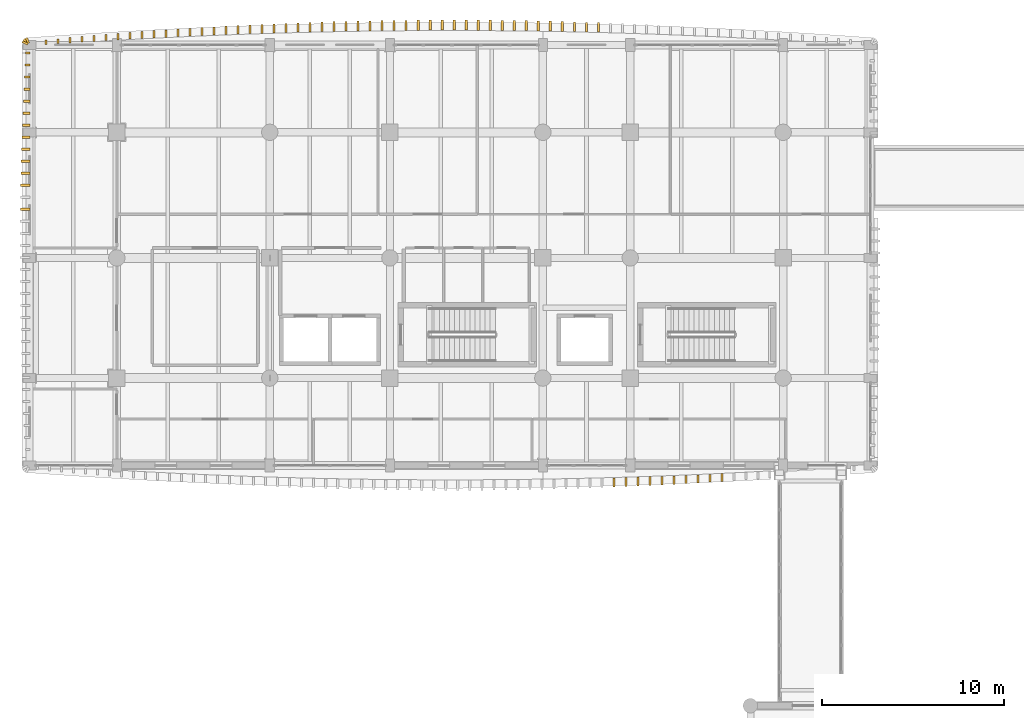
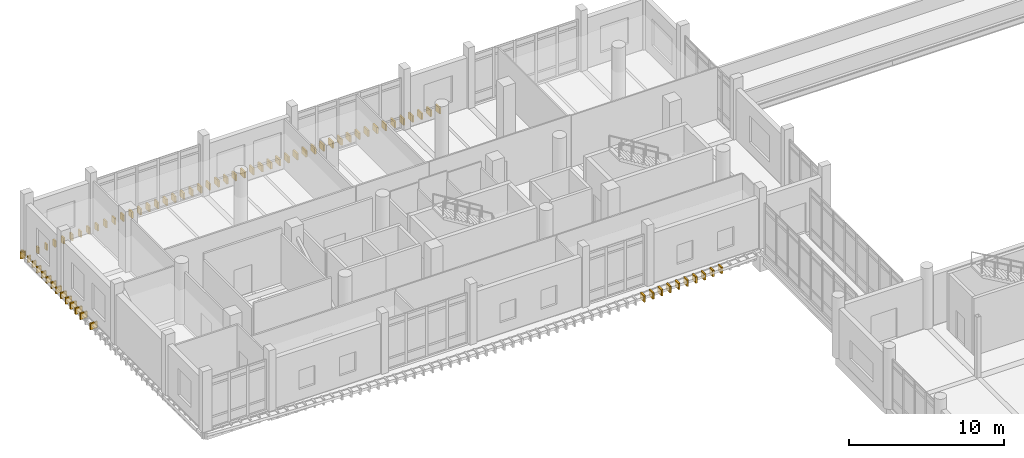
# One storey, part 96 of 101: 73 coverings.
"""IFC4 building model written with IfcOpenShell, lengths in metres."""

from ifc_helpers import new_model, si_unit, direction, frame, origin, origin_2d, place, context, subcontext, project, spatial, rectangle, extrude, material, layer, layer_set, type_object, element, save


model = new_model("IFC4")

# Units and contexts
model_context = context("Model", 3, precision=1e-05, world=origin(), true_north=direction((0.0, 1.0)))
body_context = subcontext(model_context, "Body", "Model", "MODEL_VIEW")
ifc_project = project(units=[si_unit("LENGTHUNIT", "METRE"), si_unit("AREAUNIT", "SQUARE_METRE"), si_unit("VOLUMEUNIT", "CUBIC_METRE"), si_unit("PLANEANGLEUNIT", "RADIAN"), si_unit("MASSUNIT", "GRAM", prefix="KILO")], contexts=[model_context])

# Site, building, storey
site_placement = place(None, origin())
site = spatial("IfcSite", under=ifc_project, at=site_placement, CompositionType="ELEMENT")
building_placement = place(site_placement, origin())
building = spatial("IfcBuilding", under=site, at=building_placement, Name="Dornvale Research Institute", CompositionType="ELEMENT")
storey_placement = place(building_placement, frame((0.0, 0.0, 10.199951171875)))
storey = spatial("IfcBuildingStorey", under=building, at=storey_placement, Name="L02", CompositionType="ELEMENT", Elevation=10.199951171875)

# Coverings
ifc_material = material(Name="Polychrome Glazed Terracotta Visor Rib Ceramic", Category="masonry")
ifc_layer = layer(ifc_material, 0.1201171875)
ifc_layer_set = layer_set([ifc_layer], Name="Polychrome Glazed Terracotta Visor Rib Ceramic")
covering_type = type_object("IfcCoveringType", Name="Covering_VisorBlade_Main", PredefinedType="CLADDING", material=ifc_layer_set)
covering_1_placement = place(storey_placement, frame((32.10791015625, 98.06640625, -0.489990234375), z_axis=(0.0, 0.0, 1.0), x_axis=(0.0, 1.0, 0.0)))
element("IfcCovering", 1, at=covering_1_placement, inside=storey, type_object=covering_type, Name="L02 V5 canted glazed terracotta visor blade #254", PredefinedType="CLADDING", context=body_context, shape_type="SweptSolid", body=[
    extrude(rectangle(XDim=0.508056640625, YDim=0.1201171875, at=origin_2d()), origin(), (0.0, 0.0, 1.0), 0.5),
])
covering_2_placement = place(storey_placement, frame((32.767578125, 98.0888671875, -0.489990234375), z_axis=(0.0, 0.0, 1.0), x_axis=(0.0, 1.0, 0.0)))
element("IfcCovering", 2, at=covering_2_placement, inside=storey, type_object=covering_type, Name="L02 V5 canted glazed terracotta visor blade #255", PredefinedType="CLADDING", context=body_context, shape_type="SweptSolid", body=[
    extrude(rectangle(XDim=0.5009765625, YDim=0.1201171875, at=origin_2d()), origin(), (0.0, 0.0, 1.0), 0.5),
])
covering_3_placement = place(storey_placement, frame((33.42724609375, 98.11474609375, -0.489990234375), z_axis=(0.0, 0.0, 1.0), x_axis=(0.0, 1.0, 0.0)))
element("IfcCovering", 3, at=covering_3_placement, inside=storey, type_object=covering_type, Name="L02 V5 canted glazed terracotta visor blade #256", PredefinedType="CLADDING", context=body_context, shape_type="SweptSolid", body=[
    extrude(rectangle(XDim=0.491943359375, YDim=0.1201171875, at=origin_2d()), origin(), (0.0, 0.0, 1.0), 0.5),
])
covering_4_placement = place(storey_placement, frame((34.0869140625, 98.141845703125, -0.489990234375), z_axis=(0.0, 0.0, 1.0), x_axis=(0.0, 1.0, 0.0)))
element("IfcCovering", 4, at=covering_4_placement, inside=storey, type_object=covering_type, Name="L02 V5 canted glazed terracotta visor blade #257", PredefinedType="CLADDING", context=body_context, shape_type="SweptSolid", body=[
    extrude(rectangle(XDim=0.48291015625, YDim=0.1201171875, at=origin_2d()), origin(), (0.0, 0.0, 1.0), 0.5),
])
covering_5_placement = place(storey_placement, frame((34.74658203125, 98.169189453125, -0.489990234375), z_axis=(0.0, 0.0, 1.0), x_axis=(0.0, 1.0, 0.0)))
element("IfcCovering", 5, at=covering_5_placement, inside=storey, type_object=covering_type, Name="L02 V5 canted glazed terracotta visor blade #258", PredefinedType="CLADDING", context=body_context, shape_type="SweptSolid", body=[
    extrude(rectangle(XDim=0.47412109375, YDim=0.1201171875, at=origin_2d()), origin(), (0.0, 0.0, 1.0), 0.5),
])
covering_6_placement = place(storey_placement, frame((35.406005859375, 98.2001953125, -0.489990234375), z_axis=(0.0, 0.0, 1.0), x_axis=(0.0, 1.0, 0.0)))
element("IfcCovering", 6, at=covering_6_placement, inside=storey, type_object=covering_type, Name="L02 V5 canted glazed terracotta visor blade #259", PredefinedType="CLADDING", context=body_context, shape_type="SweptSolid", body=[
    extrude(rectangle(XDim=0.464111328125, YDim=0.1201171875, at=origin_2d()), origin(), (0.0, 0.0, 1.0), 0.5),
])
covering_7_placement = place(storey_placement, frame((36.0654296875, 98.231689453125, -0.489990234375), z_axis=(0.0, 0.0, 1.0), x_axis=(0.0, 1.0, 0.0)))
element("IfcCovering", 7, at=covering_7_placement, inside=storey, type_object=covering_type, Name="L02 V5 canted glazed terracotta visor blade #260", PredefinedType="CLADDING", context=body_context, shape_type="SweptSolid", body=[
    extrude(rectangle(XDim=0.452880859375, YDim=0.1201171875, at=origin_2d()), origin(), (0.0, 0.0, 1.0), 0.5),
])
covering_8_placement = place(storey_placement, frame((36.724853515625, 98.265625, -0.489990234375), z_axis=(0.0, 0.0, 1.0), x_axis=(0.0, 1.0, 0.0)))
element("IfcCovering", 8, at=covering_8_placement, inside=storey, type_object=covering_type, Name="L02 V5 canted glazed terracotta visor blade #261", PredefinedType="CLADDING", context=body_context, shape_type="SweptSolid", body=[
    extrude(rectangle(XDim=0.44189453125, YDim=0.1201171875, at=origin_2d()), origin(), (0.0, 0.0, 1.0), 0.5),
])
covering_9_placement = place(storey_placement, frame((37.38427734375, 98.301025390625, -0.489990234375), z_axis=(0.0, 0.0, 1.0), x_axis=(0.0, 1.0, 0.0)))
element("IfcCovering", 9, at=covering_9_placement, inside=storey, type_object=covering_type, Name="L02 V5 canted glazed terracotta visor blade #262", PredefinedType="CLADDING", context=body_context, shape_type="SweptSolid", body=[
    extrude(rectangle(XDim=0.429931640625, YDim=0.1201171875, at=origin_2d()), origin(), (0.0, 0.0, 1.0), 0.5),
])
covering_10_placement = place(storey_placement, frame((38.043701171875, 98.3369140625, -0.489990234375), z_axis=(0.0, 0.0, 1.0), x_axis=(0.0, 1.0, 0.0)))
element("IfcCovering", 10, at=covering_10_placement, inside=storey, type_object=covering_type, Name="L02 V5 canted glazed terracotta visor blade #263", PredefinedType="CLADDING", context=body_context, shape_type="SweptSolid", body=[
    extrude(rectangle(XDim=0.41796875, YDim=0.1201171875, at=origin_2d()), origin(), (0.0, 0.0, 1.0), 0.5),
])
covering_11_placement = place(storey_placement, frame((31.25, 123.06298828125, -0.489990234375), z_axis=(0.0, 0.0, 1.0), x_axis=(0.0, 1.0, 0.0)))
element("IfcCovering", 11, at=covering_11_placement, inside=storey, type_object=covering_type, Name="L02 V5 canted glazed terracotta visor blade #291", PredefinedType="CLADDING", context=body_context, shape_type="SweptSolid", body=[
    extrude(rectangle(XDim=0.51806640625, YDim=0.1201171875, at=origin_2d()), origin(), (0.0, 0.0, 1.0), 0.5),
])
covering_12_placement = place(storey_placement, frame((30.590087890625, 123.08154296875, -0.489990234375), z_axis=(0.0, 0.0, 1.0), x_axis=(0.0, 1.0, 0.0)))
element("IfcCovering", 12, at=covering_12_placement, inside=storey, type_object=covering_type, Name="L02 V5 canted glazed terracotta visor blade #292", PredefinedType="CLADDING", context=body_context, shape_type="SweptSolid", body=[
    extrude(rectangle(XDim=0.52392578125, YDim=0.1201171875, at=origin_2d()), origin(), (0.0, 0.0, 1.0), 0.5),
])
covering_13_placement = place(storey_placement, frame((29.930419921875, 123.10009765625, -0.489990234375), z_axis=(0.0, 0.0, 1.0), x_axis=(0.0, 1.0, 0.0)))
element("IfcCovering", 13, at=covering_13_placement, inside=storey, type_object=covering_type, Name="L02 V5 canted glazed terracotta visor blade #293", PredefinedType="CLADDING", context=body_context, shape_type="SweptSolid", body=[
    extrude(rectangle(XDim=0.530029296875, YDim=0.1201171875, at=origin_2d()), origin(), (0.0, 0.0, 1.0), 0.5),
])
covering_14_placement = place(storey_placement, frame((29.2705078125, 123.116455078125, -0.489990234375), z_axis=(0.0, 0.0, 1.0), x_axis=(0.0, 1.0, 0.0)))
element("IfcCovering", 14, at=covering_14_placement, inside=storey, type_object=covering_type, Name="L02 V5 canted glazed terracotta visor blade #294", PredefinedType="CLADDING", context=body_context, shape_type="SweptSolid", body=[
    extrude(rectangle(XDim=0.535888671875, YDim=0.1201171875, at=origin_2d()), origin(), (0.0, 0.0, 1.0), 0.5),
])
covering_15_placement = place(storey_placement, frame((28.610595703125, 123.131103515625, -0.489990234375), z_axis=(0.0, 0.0, 1.0), x_axis=(0.0, 1.0, 0.0)))
element("IfcCovering", 15, at=covering_15_placement, inside=storey, type_object=covering_type, Name="L02 V5 canted glazed terracotta visor blade #295", PredefinedType="CLADDING", context=body_context, shape_type="SweptSolid", body=[
    extrude(rectangle(XDim=0.541015625, YDim=0.1201171875, at=origin_2d()), origin(), (0.0, 0.0, 1.0), 0.5),
])
covering_16_placement = place(storey_placement, frame((27.95068359375, 123.144775390625, -0.489990234375), z_axis=(0.0, 0.0, 1.0), x_axis=(0.0, 1.0, 0.0)))
element("IfcCovering", 16, at=covering_16_placement, inside=storey, type_object=covering_type, Name="L02 V5 canted glazed terracotta visor blade #296", PredefinedType="CLADDING", context=body_context, shape_type="SweptSolid", body=[
    extrude(rectangle(XDim=0.544921875, YDim=0.1201171875, at=origin_2d()), origin(), (0.0, 0.0, 1.0), 0.5),
])
covering_17_placement = place(storey_placement, frame((27.290771484375, 123.155517578125, -0.489990234375), z_axis=(0.0, 0.0, 1.0), x_axis=(0.0, 1.0, 0.0)))
element("IfcCovering", 17, at=covering_17_placement, inside=storey, type_object=covering_type, Name="L02 V5 canted glazed terracotta visor blade #297", PredefinedType="CLADDING", context=body_context, shape_type="SweptSolid", body=[
    extrude(rectangle(XDim=0.549072265625, YDim=0.1201171875, at=origin_2d()), origin(), (0.0, 0.0, 1.0), 0.5),
])
covering_18_placement = place(storey_placement, frame((26.630615234375, 123.165771484375, -0.489990234375), z_axis=(0.0, 0.0, 1.0), x_axis=(0.0, 1.0, 0.0)))
element("IfcCovering", 18, at=covering_18_placement, inside=storey, type_object=covering_type, Name="L02 V5 canted glazed terracotta visor blade #298", PredefinedType="CLADDING", context=body_context, shape_type="SweptSolid", body=[
    extrude(rectangle(XDim=0.552001953125, YDim=0.1201171875, at=origin_2d()), origin(), (0.0, 0.0, 1.0), 0.5),
])
covering_19_placement = place(storey_placement, frame((25.970703125, 123.173583984375, -0.489990234375), z_axis=(0.0, 0.0, 1.0), x_axis=(0.0, 1.0, 0.0)))
element("IfcCovering", 19, at=covering_19_placement, inside=storey, type_object=covering_type, Name="L02 V5 canted glazed terracotta visor blade #299", PredefinedType="CLADDING", context=body_context, shape_type="SweptSolid", body=[
    extrude(rectangle(XDim=0.554931640625, YDim=0.1201171875, at=origin_2d()), origin(), (0.0, 0.0, 1.0), 0.5),
])
covering_20_placement = place(storey_placement, frame((25.310791015625, 123.1796875, -0.489990234375), z_axis=(0.0, 0.0, 1.0), x_axis=(0.0, 1.0, 0.0)))
element("IfcCovering", 20, at=covering_20_placement, inside=storey, type_object=covering_type, Name="L02 V5 canted glazed terracotta visor blade #300", PredefinedType="CLADDING", context=body_context, shape_type="SweptSolid", body=[
    extrude(rectangle(XDim=0.556884765625, YDim=0.1201171875, at=origin_2d()), origin(), (0.0, 0.0, 1.0), 0.5),
])
covering_21_placement = place(storey_placement, frame((24.65087890625, 123.18505859375, -0.489990234375), z_axis=(0.0, 0.0, 1.0), x_axis=(0.0, 1.0, 0.0)))
element("IfcCovering", 21, at=covering_21_placement, inside=storey, type_object=covering_type, Name="L02 V5 canted glazed terracotta visor blade #301", PredefinedType="CLADDING", context=body_context, shape_type="SweptSolid", body=[
    extrude(rectangle(XDim=0.55810546875, YDim=0.1201171875, at=origin_2d()), origin(), (0.0, 0.0, 1.0), 0.5),
])
covering_22_placement = place(storey_placement, frame((23.99072265625, 123.187255859375, -0.489990234375), z_axis=(0.0, 0.0, 1.0), x_axis=(0.0, 1.0, 0.0)))
element("IfcCovering", 22, at=covering_22_placement, inside=storey, type_object=covering_type, Name="L02 V5 canted glazed terracotta visor blade #302", PredefinedType="CLADDING", context=body_context, shape_type="SweptSolid", body=[
    extrude(rectangle(XDim=0.55908203125, YDim=0.1201171875, at=origin_2d()), origin(), (0.0, 0.0, 1.0), 0.5),
])
for number, where, z_axis, x_axis, name in (
    (23, (23.330810546875, 123.189453125, -0.489990234375), (0.0, 0.0, 1.0), (0.0, 1.0, 0.0), "L02 V5 canted glazed terracotta visor blade #303"),
    (24, (22.6708984375, 123.18896484375, -0.489990234375), (0.0, 0.0, 1.0), (0.0, 1.0, 0.0), "L02 V5 canted glazed terracotta visor blade #304"),
):
    element("IfcCovering", number, at=place(storey_placement, frame(where, z_axis=z_axis, x_axis=x_axis)), inside=storey, type_object=covering_type, Name=name, PredefinedType="CLADDING", context=body_context, shape_type="SweptSolid", body=[
        extrude(rectangle(XDim=0.56005859375, YDim=0.1201171875, at=origin_2d()), origin(), (0.0, 0.0, 1.0), 0.5),
    ])
covering_23_placement = place(storey_placement, frame((22.0107421875, 123.186767578125, -0.489990234375), z_axis=(0.0, 0.0, 1.0), x_axis=(0.0, 1.0, 0.0)))
element("IfcCovering", 25, at=covering_23_placement, inside=storey, type_object=covering_type, Name="L02 V5 canted glazed terracotta visor blade #305", PredefinedType="CLADDING", context=body_context, shape_type="SweptSolid", body=[
    extrude(rectangle(XDim=0.55908203125, YDim=0.1201171875, at=origin_2d()), origin(), (0.0, 0.0, 1.0), 0.5),
])
covering_24_placement = place(storey_placement, frame((21.350830078125, 123.183837890625, -0.489990234375), z_axis=(0.0, 0.0, 1.0), x_axis=(0.0, 1.0, 0.0)))
element("IfcCovering", 26, at=covering_24_placement, inside=storey, type_object=covering_type, Name="L02 V5 canted glazed terracotta visor blade #306", PredefinedType="CLADDING", context=body_context, shape_type="SweptSolid", body=[
    extrude(rectangle(XDim=0.55810546875, YDim=0.1201171875, at=origin_2d()), origin(), (0.0, 0.0, 1.0), 0.5),
])
covering_25_placement = place(storey_placement, frame((20.69091796875, 123.177734375, -0.489990234375), z_axis=(0.0, 0.0, 1.0), x_axis=(0.0, 1.0, 0.0)))
element("IfcCovering", 27, at=covering_25_placement, inside=storey, type_object=covering_type, Name="L02 V5 canted glazed terracotta visor blade #307", PredefinedType="CLADDING", context=body_context, shape_type="SweptSolid", body=[
    extrude(rectangle(XDim=0.555908203125, YDim=0.1201171875, at=origin_2d()), origin(), (0.0, 0.0, 1.0), 0.5),
])
covering_26_placement = place(storey_placement, frame((20.031005859375, 123.17138671875, -0.489990234375), z_axis=(0.0, 0.0, 1.0), x_axis=(0.0, 1.0, 0.0)))
element("IfcCovering", 28, at=covering_26_placement, inside=storey, type_object=covering_type, Name="L02 V5 canted glazed terracotta visor blade #308", PredefinedType="CLADDING", context=body_context, shape_type="SweptSolid", body=[
    extrude(rectangle(XDim=0.553955078125, YDim=0.1201171875, at=origin_2d()), origin(), (0.0, 0.0, 1.0), 0.5),
])
covering_27_placement = place(storey_placement, frame((19.370849609375, 123.16259765625, -0.489990234375), z_axis=(0.0, 0.0, 1.0), x_axis=(0.0, 1.0, 0.0)))
element("IfcCovering", 29, at=covering_27_placement, inside=storey, type_object=covering_type, Name="L02 V5 canted glazed terracotta visor blade #309", PredefinedType="CLADDING", context=body_context, shape_type="SweptSolid", body=[
    extrude(rectangle(XDim=0.551025390625, YDim=0.1201171875, at=origin_2d()), origin(), (0.0, 0.0, 1.0), 0.5),
])
covering_28_placement = place(storey_placement, frame((18.7109375, 123.15234375, -0.489990234375), z_axis=(0.0, 0.0, 1.0), x_axis=(0.0, 1.0, 0.0)))
element("IfcCovering", 30, at=covering_28_placement, inside=storey, type_object=covering_type, Name="L02 V5 canted glazed terracotta visor blade #310", PredefinedType="CLADDING", context=body_context, shape_type="SweptSolid", body=[
    extrude(rectangle(XDim=0.548095703125, YDim=0.1201171875, at=origin_2d()), origin(), (0.0, 0.0, 1.0), 0.5),
])
covering_29_placement = place(storey_placement, frame((18.051025390625, 123.14111328125, -0.489990234375), z_axis=(0.0, 0.0, 1.0), x_axis=(0.0, 1.0, 0.0)))
element("IfcCovering", 31, at=covering_29_placement, inside=storey, type_object=covering_type, Name="L02 V5 canted glazed terracotta visor blade #311", PredefinedType="CLADDING", context=body_context, shape_type="SweptSolid", body=[
    extrude(rectangle(XDim=0.5439453125, YDim=0.1201171875, at=origin_2d()), origin(), (0.0, 0.0, 1.0), 0.5),
])
covering_30_placement = place(storey_placement, frame((17.39111328125, 123.12646484375, -0.489990234375), z_axis=(0.0, 0.0, 1.0), x_axis=(0.0, 1.0, 0.0)))
element("IfcCovering", 32, at=covering_30_placement, inside=storey, type_object=covering_type, Name="L02 V5 canted glazed terracotta visor blade #312", PredefinedType="CLADDING", context=body_context, shape_type="SweptSolid", body=[
    extrude(rectangle(XDim=0.5390625, YDim=0.1201171875, at=origin_2d()), origin(), (0.0, 0.0, 1.0), 0.5),
])
covering_31_placement = place(storey_placement, frame((16.731201171875, 123.11181640625, -0.489990234375), z_axis=(0.0, 0.0, 1.0), x_axis=(0.0, 1.0, 0.0)))
element("IfcCovering", 33, at=covering_31_placement, inside=storey, type_object=covering_type, Name="L02 V5 canted glazed terracotta visor blade #313", PredefinedType="CLADDING", context=body_context, shape_type="SweptSolid", body=[
    extrude(rectangle(XDim=0.533935546875, YDim=0.1201171875, at=origin_2d()), origin(), (0.0, 0.0, 1.0), 0.5),
])
covering_32_placement = place(storey_placement, frame((16.0712890625, 123.094970703125, -0.489990234375), z_axis=(0.0, 0.0, 1.0), x_axis=(0.0, 1.0, 0.0)))
element("IfcCovering", 34, at=covering_32_placement, inside=storey, type_object=covering_type, Name="L02 V5 canted glazed terracotta visor blade #314", PredefinedType="CLADDING", context=body_context, shape_type="SweptSolid", body=[
    extrude(rectangle(XDim=0.529052734375, YDim=0.1201171875, at=origin_2d()), origin(), (0.0, 0.0, 1.0), 0.5),
])
covering_33_placement = place(storey_placement, frame((15.41162109375, 123.075927734375, -0.489990234375), z_axis=(0.0, 0.0, 1.0), x_axis=(0.0, 1.0, 0.0)))
element("IfcCovering", 35, at=covering_33_placement, inside=storey, type_object=covering_type, Name="L02 V5 canted glazed terracotta visor blade #315", PredefinedType="CLADDING", context=body_context, shape_type="SweptSolid", body=[
    extrude(rectangle(XDim=0.52197265625, YDim=0.1201171875, at=origin_2d()), origin(), (0.0, 0.0, 1.0), 0.5),
])
covering_34_placement = place(storey_placement, frame((14.751708984375, 123.056884765625, -0.489990234375), z_axis=(0.0, 0.0, 1.0), x_axis=(0.0, 1.0, 0.0)))
element("IfcCovering", 36, at=covering_34_placement, inside=storey, type_object=covering_type, Name="L02 V5 canted glazed terracotta visor blade #316", PredefinedType="CLADDING", context=body_context, shape_type="SweptSolid", body=[
    extrude(rectangle(XDim=0.51611328125, YDim=0.1201171875, at=origin_2d()), origin(), (0.0, 0.0, 1.0), 0.5),
])
covering_35_placement = place(storey_placement, frame((14.092041015625, 123.03369140625, -0.489990234375), z_axis=(0.0, 0.0, 1.0), x_axis=(0.0, 1.0, 0.0)))
element("IfcCovering", 37, at=covering_35_placement, inside=storey, type_object=covering_type, Name="L02 V5 canted glazed terracotta visor blade #317", PredefinedType="CLADDING", context=body_context, shape_type="SweptSolid", body=[
    extrude(rectangle(XDim=0.508056640625, YDim=0.1201171875, at=origin_2d()), origin(), (0.0, 0.0, 1.0), 0.5),
])
covering_36_placement = place(storey_placement, frame((13.432373046875, 123.010986328125, -0.489990234375), z_axis=(0.0, 0.0, 1.0), x_axis=(0.0, 1.0, 0.0)))
element("IfcCovering", 38, at=covering_36_placement, inside=storey, type_object=covering_type, Name="L02 V5 canted glazed terracotta visor blade #318", PredefinedType="CLADDING", context=body_context, shape_type="SweptSolid", body=[
    extrude(rectangle(XDim=0.5009765625, YDim=0.1201171875, at=origin_2d()), origin(), (0.0, 0.0, 1.0), 0.5),
])
covering_37_placement = place(storey_placement, frame((12.772705078125, 122.9853515625, -0.489990234375), z_axis=(0.0, 0.0, 1.0), x_axis=(0.0, 1.0, 0.0)))
element("IfcCovering", 39, at=covering_37_placement, inside=storey, type_object=covering_type, Name="L02 V5 canted glazed terracotta visor blade #319", PredefinedType="CLADDING", context=body_context, shape_type="SweptSolid", body=[
    extrude(rectangle(XDim=0.491943359375, YDim=0.1201171875, at=origin_2d()), origin(), (0.0, 0.0, 1.0), 0.5),
])
covering_38_placement = place(storey_placement, frame((12.113037109375, 122.958251953125, -0.489990234375), z_axis=(0.0, 0.0, 1.0), x_axis=(0.0, 1.0, 0.0)))
element("IfcCovering", 40, at=covering_38_placement, inside=storey, type_object=covering_type, Name="L02 V5 canted glazed terracotta visor blade #320", PredefinedType="CLADDING", context=body_context, shape_type="SweptSolid", body=[
    extrude(rectangle(XDim=0.48291015625, YDim=0.1201171875, at=origin_2d()), origin(), (0.0, 0.0, 1.0), 0.5),
])
covering_39_placement = place(storey_placement, frame((11.45361328125, 122.9306640625, -0.489990234375), z_axis=(0.0, 0.0, 1.0), x_axis=(0.0, 1.0, 0.0)))
element("IfcCovering", 41, at=covering_39_placement, inside=storey, type_object=covering_type, Name="L02 V5 canted glazed terracotta visor blade #321", PredefinedType="CLADDING", context=body_context, shape_type="SweptSolid", body=[
    extrude(rectangle(XDim=0.47412109375, YDim=0.1201171875, at=origin_2d()), origin(), (0.0, 0.0, 1.0), 0.5),
])
covering_40_placement = place(storey_placement, frame((10.7939453125, 122.899658203125, -0.489990234375), z_axis=(0.0, 0.0, 1.0), x_axis=(0.0, 1.0, 0.0)))
element("IfcCovering", 42, at=covering_40_placement, inside=storey, type_object=covering_type, Name="L02 V5 canted glazed terracotta visor blade #322", PredefinedType="CLADDING", context=body_context, shape_type="SweptSolid", body=[
    extrude(rectangle(XDim=0.464111328125, YDim=0.1201171875, at=origin_2d()), origin(), (0.0, 0.0, 1.0), 0.5),
])
covering_41_placement = place(storey_placement, frame((10.134521484375, 122.8681640625, -0.489990234375), z_axis=(0.0, 0.0, 1.0), x_axis=(0.0, 1.0, 0.0)))
element("IfcCovering", 43, at=covering_41_placement, inside=storey, type_object=covering_type, Name="L02 V5 canted glazed terracotta visor blade #323", PredefinedType="CLADDING", context=body_context, shape_type="SweptSolid", body=[
    extrude(rectangle(XDim=0.452880859375, YDim=0.1201171875, at=origin_2d()), origin(), (0.0, 0.0, 1.0), 0.5),
])
covering_42_placement = place(storey_placement, frame((9.47509765625, 122.83447265625, -0.489990234375), z_axis=(0.0, 0.0, 1.0), x_axis=(0.0, 1.0, 0.0)))
element("IfcCovering", 44, at=covering_42_placement, inside=storey, type_object=covering_type, Name="L02 V5 canted glazed terracotta visor blade #324", PredefinedType="CLADDING", context=body_context, shape_type="SweptSolid", body=[
    extrude(rectangle(XDim=0.44189453125, YDim=0.1201171875, at=origin_2d()), origin(), (0.0, 0.0, 1.0), 0.5),
])
covering_43_placement = place(storey_placement, frame((8.81591796875, 122.799072265625, -0.489990234375), z_axis=(0.0, 0.0, 1.0), x_axis=(0.0, 1.0, 0.0)))
element("IfcCovering", 45, at=covering_43_placement, inside=storey, type_object=covering_type, Name="L02 V5 canted glazed terracotta visor blade #325", PredefinedType="CLADDING", context=body_context, shape_type="SweptSolid", body=[
    extrude(rectangle(XDim=0.429931640625, YDim=0.1201171875, at=origin_2d()), origin(), (0.0, 0.0, 1.0), 0.5),
])
covering_44_placement = place(storey_placement, frame((8.156494140625, 122.762939453125, -0.489990234375), z_axis=(0.0, 0.0, 1.0), x_axis=(0.0, 1.0, 0.0)))
element("IfcCovering", 46, at=covering_44_placement, inside=storey, type_object=covering_type, Name="L02 V5 canted glazed terracotta visor blade #326", PredefinedType="CLADDING", context=body_context, shape_type="SweptSolid", body=[
    extrude(rectangle(XDim=0.41796875, YDim=0.1201171875, at=origin_2d()), origin(), (0.0, 0.0, 1.0), 0.5),
])
covering_45_placement = place(storey_placement, frame((7.497314453125, 122.7236328125, -0.489990234375), z_axis=(0.0, 0.0, 1.0), x_axis=(0.0, 1.0, 0.0)))
element("IfcCovering", 47, at=covering_45_placement, inside=storey, type_object=covering_type, Name="L02 V5 canted glazed terracotta visor blade #327", PredefinedType="CLADDING", context=body_context, shape_type="SweptSolid", body=[
    extrude(rectangle(XDim=0.405029296875, YDim=0.1201171875, at=origin_2d()), origin(), (0.0, 0.0, 1.0), 0.5),
])
covering_46_placement = place(storey_placement, frame((6.838134765625, 122.68408203125, -0.489990234375), z_axis=(0.0, 0.0, 1.0), x_axis=(0.0, 1.0, 0.0)))
element("IfcCovering", 48, at=covering_46_placement, inside=storey, type_object=covering_type, Name="L02 V5 canted glazed terracotta visor blade #328", PredefinedType="CLADDING", context=body_context, shape_type="SweptSolid", body=[
    extrude(rectangle(XDim=0.39208984375, YDim=0.1201171875, at=origin_2d()), origin(), (0.0, 0.0, 1.0), 0.5),
])
covering_47_placement = place(storey_placement, frame((6.178955078125, 122.64208984375, -0.489990234375), z_axis=(0.0, 0.0, 1.0), x_axis=(0.0, 1.0, 0.0)))
element("IfcCovering", 49, at=covering_47_placement, inside=storey, type_object=covering_type, Name="L02 V5 canted glazed terracotta visor blade #329", PredefinedType="CLADDING", context=body_context, shape_type="SweptSolid", body=[
    extrude(rectangle(XDim=0.3779296875, YDim=0.1201171875, at=origin_2d()), origin(), (0.0, 0.0, 1.0), 0.5),
])
covering_48_placement = place(storey_placement, frame((5.52001953125, 122.59814453125, -0.489990234375), z_axis=(0.0, 0.0, 1.0), x_axis=(0.0, 1.0, 0.0)))
element("IfcCovering", 50, at=covering_48_placement, inside=storey, type_object=covering_type, Name="L02 V5 canted glazed terracotta visor blade #330", PredefinedType="CLADDING", context=body_context, shape_type="SweptSolid", body=[
    extrude(rectangle(XDim=0.363037109375, YDim=0.1201171875, at=origin_2d()), origin(), (0.0, 0.0, 1.0), 0.5),
])
covering_49_placement = place(storey_placement, frame((4.861083984375, 122.553955078125, -0.489990234375), z_axis=(0.0, 0.0, 1.0), x_axis=(0.0, 1.0, 0.0)))
element("IfcCovering", 51, at=covering_49_placement, inside=storey, type_object=covering_type, Name="L02 V5 canted glazed terracotta visor blade #331", PredefinedType="CLADDING", context=body_context, shape_type="SweptSolid", body=[
    extrude(rectangle(XDim=0.347900390625, YDim=0.1201171875, at=origin_2d()), origin(), (0.0, 0.0, 1.0), 0.5),
])
covering_50_placement = place(storey_placement, frame((4.202392578125, 122.506591796875, -0.489990234375), z_axis=(0.0, 0.0, 1.0), x_axis=(0.0, 1.0, 0.0)))
element("IfcCovering", 52, at=covering_50_placement, inside=storey, type_object=covering_type, Name="L02 V5 canted glazed terracotta visor blade #332", PredefinedType="CLADDING", context=body_context, shape_type="SweptSolid", body=[
    extrude(rectangle(XDim=0.3330078125, YDim=0.1201171875, at=origin_2d()), origin(), (0.0, 0.0, 1.0), 0.5),
])
covering_51_placement = place(storey_placement, frame((3.54345703125, 122.458251953125, -0.489990234375), z_axis=(0.0, 0.0, 1.0), x_axis=(0.0, 1.0, 0.0)))
element("IfcCovering", 53, at=covering_51_placement, inside=storey, type_object=covering_type, Name="L02 V5 canted glazed terracotta visor blade #333", PredefinedType="CLADDING", context=body_context, shape_type="SweptSolid", body=[
    extrude(rectangle(XDim=0.31591796875, YDim=0.1201171875, at=origin_2d()), origin(), (0.0, 0.0, 1.0), 0.5),
])
covering_52_placement = place(storey_placement, frame((2.884765625, 122.408203125, -0.489990234375), z_axis=(0.0, 0.0, 1.0), x_axis=(0.0, 1.0, 0.0)))
element("IfcCovering", 54, at=covering_52_placement, inside=storey, type_object=covering_type, Name="L02 V5 canted glazed terracotta visor blade #334", PredefinedType="CLADDING", context=body_context, shape_type="SweptSolid", body=[
    extrude(rectangle(XDim=0.300048828125, YDim=0.1201171875, at=origin_2d()), origin(), (0.0, 0.0, 1.0), 0.5),
])
covering_53_placement = place(storey_placement, frame((2.226318359375, 122.35595703125, -0.489990234375), z_axis=(0.0, 0.0, 1.0), x_axis=(0.0, 1.0, 0.0)))
element("IfcCovering", 55, at=covering_53_placement, inside=storey, type_object=covering_type, Name="L02 V5 canted glazed terracotta visor blade #335", PredefinedType="CLADDING", context=body_context, shape_type="SweptSolid", body=[
    extrude(rectangle(XDim=0.281982421875, YDim=0.1201171875, at=origin_2d()), origin(), (0.0, 0.0, 1.0), 0.5),
])
covering_54_placement = place(storey_placement, frame((1.567626953125, 122.3037109375, -0.489990234375), z_axis=(0.0, 0.0, 1.0), x_axis=(0.0, 1.0, 0.0)))
element("IfcCovering", 56, at=covering_54_placement, inside=storey, type_object=covering_type, Name="L02 V5 canted glazed terracotta visor blade #336", PredefinedType="CLADDING", context=body_context, shape_type="SweptSolid", body=[
    extrude(rectangle(XDim=0.264892578125, YDim=0.1201171875, at=origin_2d()), origin(), (0.0, 0.0, 1.0), 0.5),
])
for number, where, z_axis, x_axis, name in (
    (57, (0.9091796875, 122.24755859375, -0.489990234375), (0.0, 0.0, 1.0), (0.0, 1.0, 0.0), "L02 V5 canted glazed terracotta visor blade #337"),
    (58, (-0.0830078125, 121.64990234375, -0.489990234375), (0.0, 0.0, 1.0), (1.0, 0.0, 0.0), "L02 V5 canted glazed terracotta visor blade #365"),
):
    element("IfcCovering", number, at=place(storey_placement, frame(where, z_axis=z_axis, x_axis=x_axis)), inside=storey, type_object=covering_type, Name=name, PredefinedType="CLADDING", context=body_context, shape_type="SweptSolid", body=[
        extrude(rectangle(XDim=0.24609375, YDim=0.1201171875, at=origin_2d()), origin(), (0.0, 0.0, 1.0), 0.5),
    ])
covering_55_placement = place(storey_placement, frame((-0.10107421875, 120.989990234375, -0.489990234375), z_axis=(0.0, 0.0, 1.0), x_axis=(1.0, 0.0, 0.0)))
element("IfcCovering", 59, at=covering_55_placement, inside=storey, type_object=covering_type, Name="L02 V5 canted glazed terracotta visor blade #366", PredefinedType="CLADDING", context=body_context, shape_type="SweptSolid", body=[
    extrude(rectangle(XDim=0.281982421875, YDim=0.1201171875, at=origin_2d()), origin(), (0.0, 0.0, 1.0), 0.5),
])
covering_56_placement = place(storey_placement, frame((-0.117919921875, 120.330078125, -0.489990234375), z_axis=(0.0, 0.0, 1.0), x_axis=(1.0, 0.0, 0.0)))
element("IfcCovering", 60, at=covering_56_placement, inside=storey, type_object=covering_type, Name="L02 V5 canted glazed terracotta visor blade #367", PredefinedType="CLADDING", context=body_context, shape_type="SweptSolid", body=[
    extrude(rectangle(XDim=0.31591796875, YDim=0.1201171875, at=origin_2d()), origin(), (0.0, 0.0, 1.0), 0.5),
])
covering_57_placement = place(storey_placement, frame((-0.134033203125, 119.669921875, -0.489990234375), z_axis=(0.0, 0.0, 1.0), x_axis=(1.0, 0.0, 0.0)))
element("IfcCovering", 61, at=covering_57_placement, inside=storey, type_object=covering_type, Name="L02 V5 canted glazed terracotta visor blade #368", PredefinedType="CLADDING", context=body_context, shape_type="SweptSolid", body=[
    extrude(rectangle(XDim=0.347900390625, YDim=0.1201171875, at=origin_2d()), origin(), (0.0, 0.0, 1.0), 0.5),
])
covering_58_placement = place(storey_placement, frame((-0.14892578125, 119.010009765625, -0.489990234375), z_axis=(0.0, 0.0, 1.0), x_axis=(1.0, 0.0, 0.0)))
element("IfcCovering", 62, at=covering_58_placement, inside=storey, type_object=covering_type, Name="L02 V5 canted glazed terracotta visor blade #369", PredefinedType="CLADDING", context=body_context, shape_type="SweptSolid", body=[
    extrude(rectangle(XDim=0.3779296875, YDim=0.1201171875, at=origin_2d()), origin(), (0.0, 0.0, 1.0), 0.5),
])
covering_59_placement = place(storey_placement, frame((-0.16259765625, 118.35009765625, -0.489990234375), z_axis=(0.0, 0.0, 1.0), x_axis=(1.0, 0.0, 0.0)))
element("IfcCovering", 63, at=covering_59_placement, inside=storey, type_object=covering_type, Name="L02 V5 canted glazed terracotta visor blade #370", PredefinedType="CLADDING", context=body_context, shape_type="SweptSolid", body=[
    extrude(rectangle(XDim=0.405029296875, YDim=0.1201171875, at=origin_2d()), origin(), (0.0, 0.0, 1.0), 0.5),
])
covering_60_placement = place(storey_placement, frame((-0.175048828125, 117.68994140625, -0.489990234375), z_axis=(0.0, 0.0, 1.0), x_axis=(1.0, 0.0, 0.0)))
element("IfcCovering", 64, at=covering_60_placement, inside=storey, type_object=covering_type, Name="L02 V5 canted glazed terracotta visor blade #371", PredefinedType="CLADDING", context=body_context, shape_type="SweptSolid", body=[
    extrude(rectangle(XDim=0.429931640625, YDim=0.1201171875, at=origin_2d()), origin(), (0.0, 0.0, 1.0), 0.5),
])
covering_61_placement = place(storey_placement, frame((-0.1865234375, 117.030029296875, -0.489990234375), z_axis=(0.0, 0.0, 1.0), x_axis=(1.0, 0.0, 0.0)))
element("IfcCovering", 65, at=covering_61_placement, inside=storey, type_object=covering_type, Name="L02 V5 canted glazed terracotta visor blade #372", PredefinedType="CLADDING", context=body_context, shape_type="SweptSolid", body=[
    extrude(rectangle(XDim=0.452880859375, YDim=0.1201171875, at=origin_2d()), origin(), (0.0, 0.0, 1.0), 0.5),
])
covering_62_placement = place(storey_placement, frame((-0.197021484375, 116.3701171875, -0.489990234375), z_axis=(0.0, 0.0, 1.0), x_axis=(1.0, 0.0, 0.0)))
element("IfcCovering", 66, at=covering_62_placement, inside=storey, type_object=covering_type, Name="L02 V5 canted glazed terracotta visor blade #373", PredefinedType="CLADDING", context=body_context, shape_type="SweptSolid", body=[
    extrude(rectangle(XDim=0.47412109375, YDim=0.1201171875, at=origin_2d()), origin(), (0.0, 0.0, 1.0), 0.5),
])
covering_63_placement = place(storey_placement, frame((-0.2060546875, 115.7099609375, -0.489990234375), z_axis=(0.0, 0.0, 1.0), x_axis=(1.0, 0.0, 0.0)))
element("IfcCovering", 67, at=covering_63_placement, inside=storey, type_object=covering_type, Name="L02 V5 canted glazed terracotta visor blade #374", PredefinedType="CLADDING", context=body_context, shape_type="SweptSolid", body=[
    extrude(rectangle(XDim=0.491943359375, YDim=0.1201171875, at=origin_2d()), origin(), (0.0, 0.0, 1.0), 0.5),
])
covering_64_placement = place(storey_placement, frame((-0.214111328125, 115.050048828125, -0.489990234375), z_axis=(0.0, 0.0, 1.0), x_axis=(1.0, 0.0, 0.0)))
element("IfcCovering", 68, at=covering_64_placement, inside=storey, type_object=covering_type, Name="L02 V5 canted glazed terracotta visor blade #375", PredefinedType="CLADDING", context=body_context, shape_type="SweptSolid", body=[
    extrude(rectangle(XDim=0.508056640625, YDim=0.1201171875, at=origin_2d()), origin(), (0.0, 0.0, 1.0), 0.5),
])
covering_65_placement = place(storey_placement, frame((-0.220947265625, 114.389892578125, -0.489990234375), z_axis=(0.0, 0.0, 1.0), x_axis=(1.0, 0.0, 0.0)))
element("IfcCovering", 69, at=covering_65_placement, inside=storey, type_object=covering_type, Name="L02 V5 canted glazed terracotta visor blade #376", PredefinedType="CLADDING", context=body_context, shape_type="SweptSolid", body=[
    extrude(rectangle(XDim=0.52197265625, YDim=0.1201171875, at=origin_2d()), origin(), (0.0, 0.0, 1.0), 0.5),
])
covering_66_placement = place(storey_placement, frame((-0.23193359375, 113.070068359375, -0.489990234375), z_axis=(0.0, 0.0, 1.0), x_axis=(1.0, 0.0, 0.0)))
element("IfcCovering", 70, at=covering_66_placement, inside=storey, type_object=covering_type, Name="L02 V5 canted glazed terracotta visor blade #378", PredefinedType="CLADDING", context=body_context, shape_type="SweptSolid", body=[
    extrude(rectangle(XDim=0.5439453125, YDim=0.1201171875, at=origin_2d()), origin(), (0.0, 0.0, 1.0), 0.5),
])
for number, where, z_axis, x_axis, name in (
    (71, (-0.114013671875, 122.3447265625, -0.489990234375), (0.0, 0.0, 1.0), (-0.422618261741, 0.906307787037, 0.0), "L02 V5 corner-wrapping visor blade #408"),
    (72, (-0.19091796875, 122.291015625, -0.489990234375), (0.0, 0.0, 1.0), (-0.707106781187, 0.707106781187, 0.0), "L02 V5 corner-wrapping visor blade #409"),
    (73, (-0.24462890625, 122.214111328125, -0.489990234375), (0.0, 0.0, 1.0), (-0.906307787037, 0.422618261741, 0.0), "L02 V5 corner-wrapping visor blade #410"),
):
    element("IfcCovering", number, at=place(storey_placement, frame(where, z_axis=z_axis, x_axis=x_axis)), inside=storey, type_object=covering_type, Name=name, PredefinedType="CLADDING", context=body_context, shape_type="SweptSolid", body=[
        extrude(rectangle(XDim=0.320068359375, YDim=0.1201171875, at=origin_2d()), origin(), (0.0, 0.0, 1.0), 0.5),
    ])

save(model, "model.ifc")
